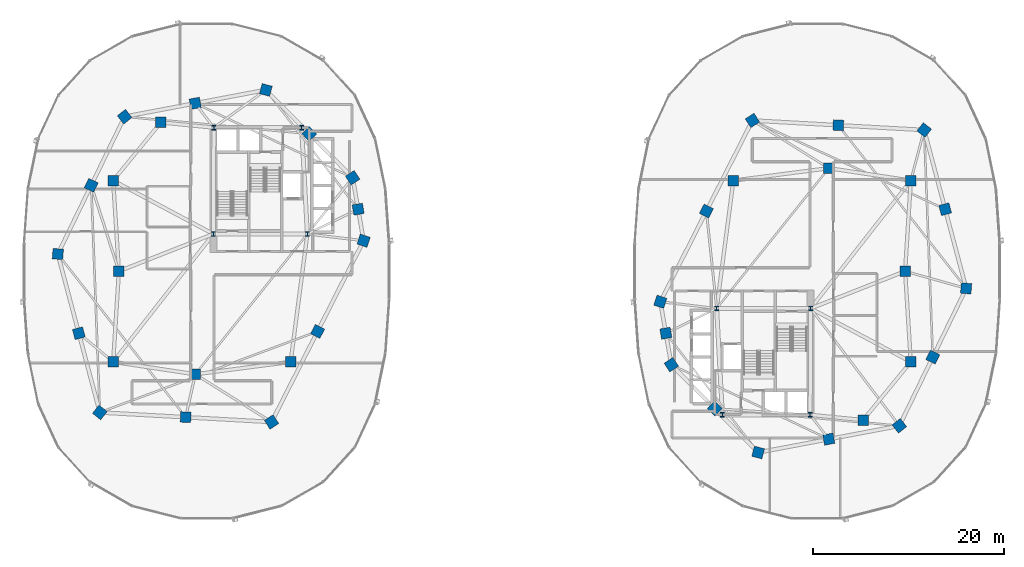
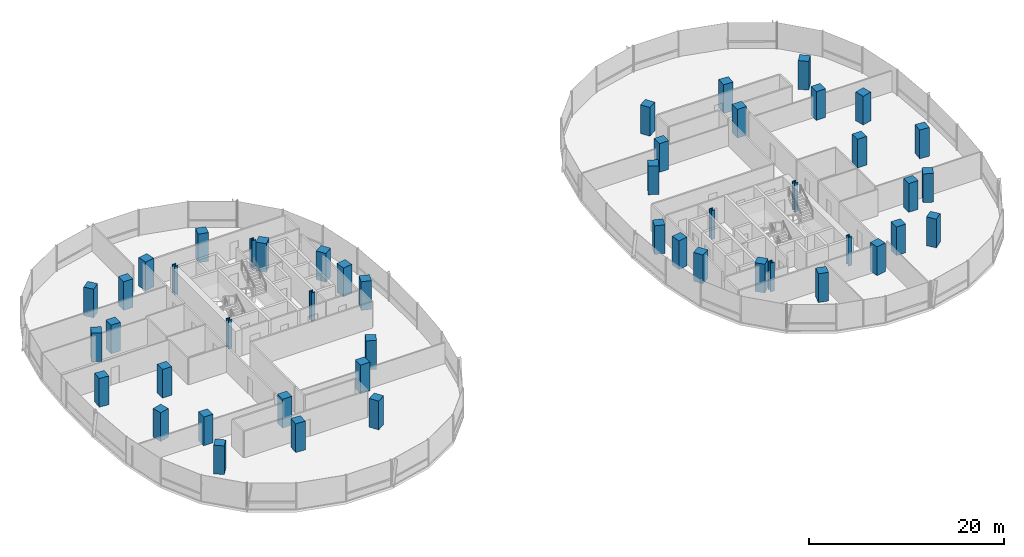
# One storey, part 1 of 21: 48 columns.
"""IFC4 building model written with IfcOpenShell, lengths in metres."""

from ifc_helpers import new_model, si_unit, direction, frame, origin, origin_2d, place, context, subcontext, project, spatial, rectangle, i_section, extrude, material, material_profile, profile_set, type_object, element, save


model = new_model("IFC4")

# Units and contexts
model_context = context("Model", 3, precision=1e-05, world=origin(), true_north=direction((0.0, 1.0)))
body_context = subcontext(model_context, "Body", "Model", "MODEL_VIEW")
ifc_project = project(units=[si_unit("LENGTHUNIT", "METRE"), si_unit("AREAUNIT", "SQUARE_METRE"), si_unit("VOLUMEUNIT", "CUBIC_METRE"), si_unit("PLANEANGLEUNIT", "RADIAN"), si_unit("MASSUNIT", "GRAM", prefix="KILO"), si_unit("THERMODYNAMICTEMPERATUREUNIT", "KELVIN"), si_unit("POWERUNIT", "WATT")], contexts=[model_context])

# Site, building, storey
site_placement = place(None, origin())
site = spatial("IfcSite", under=ifc_project, at=site_placement, CompositionType="ELEMENT")
building_placement = place(site_placement, origin())
building = spatial("IfcBuilding", under=site, at=building_placement, Name="Cundina Bronze Exchange", CompositionType="ELEMENT")
storey_placement = place(building_placement, frame((0.0, 0.0, 107.0)))
storey = spatial("IfcBuildingStorey", under=building, at=storey_placement, Name="L27", CompositionType="ELEMENT", Elevation=107.0)

# Columns
ifc_material_1 = material(Name="Steel ASTM A992 Grade 50", Category="steel")
ifc_material_profile_1 = material_profile(ifc_material_1, i_section(OverallWidth=0.431884765625, OverallDepth=0.498046875, WebThickness=0.0556640625, FlangeThickness=0.0888671875, FilletRadius=0.01806640625, at=origin_2d()), Name="W14X500", Category="steel")
ifc_profile_set_1 = profile_set([ifc_material_profile_1], Name="Steel ASTM A992 Grade 50")
column_type_1 = type_object("IfcColumnType", Name="COL-STL-W14A", PredefinedType="COLUMN", material=ifc_profile_set_1)
for number, where, z_axis, x_axis, name in (
    (1, (-31.300048828125, 3.89990234375, 0.0), (0.0, 0.0, 1.0), (1.0, 0.0, 0.0), "L27 Core Anchor Column W1"),
    (2, (-21.449951171875, 3.89990234375, 0.0), (0.0, 0.0, 1.0), (1.0, 0.0, 0.0), "L27 Core Anchor Column W2"),
    (3, (-22.050048828125, 15.050048828125, 0.0), (0.0, 0.0, 1.0), (1.0, 0.0, 0.0), "L27 Core Anchor Column W3"),
    (4, (-31.25, 15.050048828125, 0.0), (0.0, 0.0, 1.0), (1.0, 0.0, 0.0), "L27 Core Anchor Column W4"),
    (5, (31.300048828125, -3.89990234375, 0.0), (0.0, 0.0, 1.0), (1.0, 0.0, 0.0), "L27 Core Anchor Column E1"),
    (6, (21.449951171875, -3.89990234375, 0.0), (0.0, 0.0, 1.0), (1.0, 0.0, 0.0), "L27 Core Anchor Column E2"),
    (7, (22.050048828125, -15.050048828125, 0.0), (0.0, 0.0, 1.0), (1.0, 0.0, 0.0), "L27 Core Anchor Column E3"),
    (8, (31.25, -15.050048828125, 0.0), (0.0, 0.0, 1.0), (1.0, 0.0, 0.0), "L27 Core Anchor Column E4"),
):
    element("IfcColumn", number, at=place(storey_placement, frame(where, z_axis=z_axis, x_axis=x_axis)), inside=storey, type_object=column_type_1, Name=name, PredefinedType="COLUMN", context=body_context, shape_type="SweptSolid", body=[
        extrude(i_section(OverallWidth=0.431884765625, OverallDepth=0.498046875, WebThickness=0.0556640625, FlangeThickness=0.0888671875, FilletRadius=0.01806640625, at=origin_2d()), origin(), (0.0, 0.0, 1.0), 3.60009765625),
    ])
ifc_material_2 = material(Name="Concrete C60/75", Category="concrete")
ifc_material_profile_2 = material_profile(ifc_material_2, rectangle(XDim=1.10009765625, YDim=1.10009765625, at=origin_2d()), Name="RC1100X1100", Category="concrete")
ifc_profile_set_2 = profile_set([ifc_material_profile_2], Name="Concrete C60/75")
column_type_2 = type_object("IfcColumnType", Name="COL-Z2-1100", PredefinedType="COLUMN", material=ifc_profile_set_2)
for number, where, z_axis, x_axis, name in (
    (9, (-41.199951171875, 0.0, 0.0), (0.0, 0.0, 1.0), (1.0, 0.0, 0.0), "L27 W Inner Ring Column 1"),
    (10, (-41.800048828125, 9.5, 0.0), (0.0, 0.0, 1.0), (1.0, 0.0, 0.0), "L27 W Inner Ring Column 2"),
    (11, (-36.800048828125, 15.60009765625, 0.0), (0.0, 0.0, 1.0), (1.0, 0.0, 0.0), "L27 W Inner Ring Column 3"),
    (12, (-41.800048828125, -9.5, 0.0), (0.0, 0.0, 1.0), (1.0, 0.0, 0.0), "L27 W Inner Ring Column 4"),
    (13, (-33.199951171875, -10.800048828125, 0.0), (0.0, 0.0, 1.0), (1.0, 0.0, 0.0), "L27 W Inner Ring Column 5"),
    (14, (-23.199951171875, -9.5, 0.0), (0.0, 0.0, 1.0), (1.0, 0.0, 0.0), "L27 W Inner Ring Column 6"),
    (15, (41.199951171875, 0.0, 0.0), (0.0, 0.0, 1.0), (1.0, 0.0, 0.0), "L27 E Inner Ring Column 1"),
    (16, (41.800048828125, -9.5, 0.0), (0.0, 0.0, 1.0), (1.0, 0.0, 0.0), "L27 E Inner Ring Column 2"),
    (17, (36.800048828125, -15.60009765625, 0.0), (0.0, 0.0, 1.0), (1.0, 0.0, 0.0), "L27 E Inner Ring Column 3"),
    (18, (41.800048828125, 9.5, 0.0), (0.0, 0.0, 1.0), (1.0, 0.0, 0.0), "L27 E Inner Ring Column 4"),
    (19, (33.199951171875, 10.800048828125, 0.0), (0.0, 0.0, 1.0), (1.0, 0.0, 0.0), "L27 E Inner Ring Column 5"),
    (20, (23.199951171875, 9.5, 0.0), (0.0, 0.0, 1.0), (1.0, 0.0, 0.0), "L27 E Inner Ring Column 6"),
    (21, (-15.550048828125, 3.199951171875, 0.0), (0.0, 0.0, 1.0), (0.315152163383, 0.949041155016, 0.0), "L27 W Perimeter Column 00"),
    (22, (-16.125, 6.5, 0.0), (0.0, 0.0, 1.0), (-0.171585221787, 0.985169280715, 0.0), "L27 W Perimeter Column 01"),
    (23, (-16.699951171875, 9.800048828125, 0.0), (0.0, 0.0, 1.0), (-0.544199833495, 0.838955625301, 0.0), "L27 W Perimeter Column 02"),
    (24, (-21.25, 14.39990234375, 0.0), (0.0, 0.0, 1.0), (-0.703270634186, 0.710922228581, 0.0), "L27 W Perimeter Column 03"),
    (25, (-25.800048828125, 19.0, 0.0), (0.0, 0.0, 1.0), (-0.965970984022, 0.258650455301, 0.0), "L27 W Perimeter Column 04"),
    (26, (-33.199951171875, 17.60009765625, 0.0), (0.0, 0.0, 1.0), (-0.98258037664, -0.185838110843, 0.0), "L27 W Perimeter Column 05"),
    (27, (-40.60009765625, 16.199951171875, 0.0), (0.0, 0.0, 1.0), (-0.785100778485, -0.619368038909, 0.0), "L27 W Perimeter Column 06"),
    (28, (-44.10009765625, 9.0, 0.0), (0.0, 0.0, 1.0), (-0.437115766651, -0.899405251566, 0.0), "L27 W Perimeter Column 07"),
    (29, (-47.60009765625, 1.800048828125, 0.0), (0.0, 0.0, 1.0), (-0.083503921245, -0.996507448611, 0.0), "L27 W Perimeter Column 08"),
    (30, (-45.39990234375, -6.5, 0.0), (0.0, 0.0, 1.0), (0.256289373133, -0.966600102017, 0.0), "L27 W Perimeter Column 09"),
    (31, (-43.199951171875, -14.800048828125, 0.0), (0.0, 0.0, 1.0), (0.786288432137, -0.61785961309, 0.0), "L27 W Perimeter Column 10"),
    (32, (-34.199951171875, -15.300048828125, 0.0), (0.0, 0.0, 1.0), (0.998460188734, -0.055472980025, 0.0), "L27 W Perimeter Column 11"),
    (33, (-25.199951171875, -15.800048828125, 0.0), (0.0, 0.0, 1.0), (0.838099763533, 0.545516989988, 0.0), "L27 W Perimeter Column 12"),
    (34, (-20.375, -6.300048828125, 0.0), (0.0, 0.0, 1.0), (0.452901591366, 0.891560513111, 0.0), "L27 W Perimeter Column 13"),
    (35, (15.550048828125, -3.199951171875, 0.0), (0.0, 0.0, 1.0), (-0.315152163383, -0.949041155016, 0.0), "L27 E Perimeter Column 00"),
    (36, (16.125, -6.5, 0.0), (0.0, 0.0, 1.0), (0.171585221787, -0.985169280715, 0.0), "L27 E Perimeter Column 01"),
    (37, (16.699951171875, -9.800048828125, 0.0), (0.0, 0.0, 1.0), (0.544199833495, -0.838955625301, 0.0), "L27 E Perimeter Column 02"),
    (38, (21.25, -14.39990234375, 0.0), (0.0, 0.0, 1.0), (0.703270634186, -0.710922228581, 0.0), "L27 E Perimeter Column 03"),
    (39, (25.800048828125, -19.0, 0.0), (0.0, 0.0, 1.0), (0.965970984022, -0.258650455301, 0.0), "L27 E Perimeter Column 04"),
    (40, (33.199951171875, -17.60009765625, 0.0), (0.0, 0.0, 1.0), (0.98258037664, 0.185838110843, 0.0), "L27 E Perimeter Column 05"),
    (41, (40.60009765625, -16.199951171875, 0.0), (0.0, 0.0, 1.0), (0.785100778485, 0.619368038909, 0.0), "L27 E Perimeter Column 06"),
    (42, (44.10009765625, -9.0, 0.0), (0.0, 0.0, 1.0), (0.437115766651, 0.899405251566, 0.0), "L27 E Perimeter Column 07"),
    (43, (47.60009765625, -1.800048828125, 0.0), (0.0, 0.0, 1.0), (0.083503921245, 0.996507448611, 0.0), "L27 E Perimeter Column 08"),
    (44, (45.39990234375, 6.5, 0.0), (0.0, 0.0, 1.0), (-0.256289373133, 0.966600102017, 0.0), "L27 E Perimeter Column 09"),
    (45, (43.199951171875, 14.800048828125, 0.0), (0.0, 0.0, 1.0), (-0.786288432137, 0.61785961309, 0.0), "L27 E Perimeter Column 10"),
    (46, (34.199951171875, 15.300048828125, 0.0), (0.0, 0.0, 1.0), (-0.998460188734, 0.055472980025, 0.0), "L27 E Perimeter Column 11"),
    (47, (25.199951171875, 15.800048828125, 0.0), (0.0, 0.0, 1.0), (-0.838099763533, -0.545516989988, 0.0), "L27 E Perimeter Column 12"),
    (48, (20.375, 6.300048828125, 0.0), (0.0, 0.0, 1.0), (-0.452901591366, -0.891560513111, 0.0), "L27 E Perimeter Column 13"),
):
    element("IfcColumn", number, at=place(storey_placement, frame(where, z_axis=z_axis, x_axis=x_axis)), inside=storey, type_object=column_type_2, Name=name, PredefinedType="COLUMN", context=body_context, shape_type="SweptSolid", body=[
        extrude(rectangle(XDim=1.10009765625, YDim=1.10009765625, at=origin_2d()), origin(), (0.0, 0.0, 1.0), 3.60009765625),
    ])

save(model, "model.ifc")
